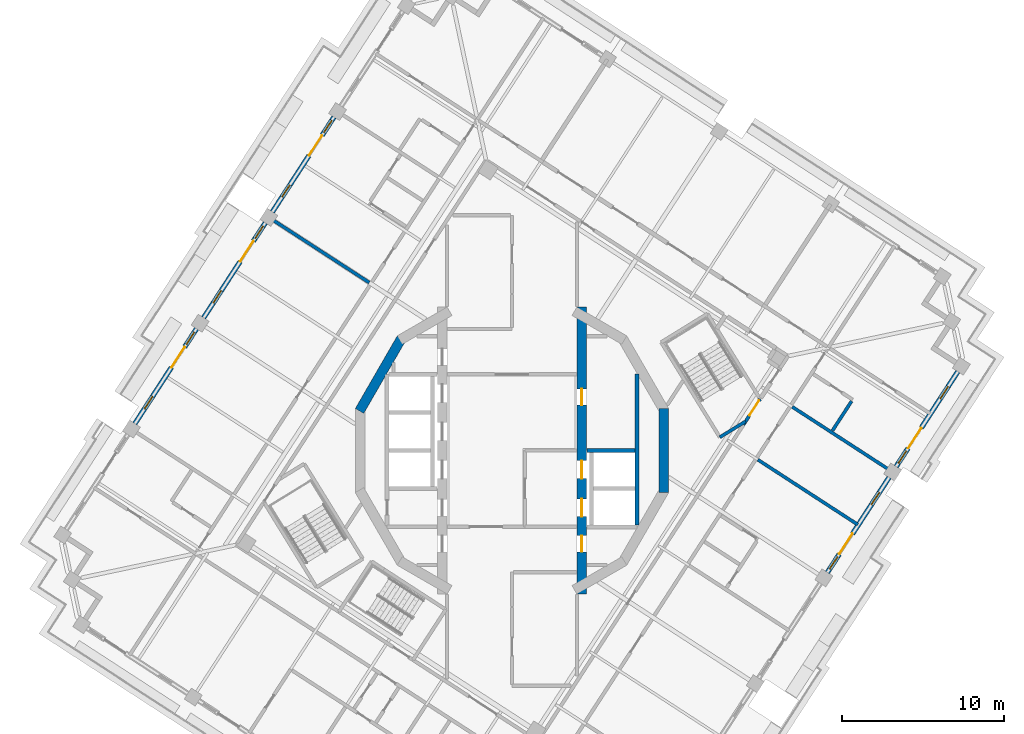
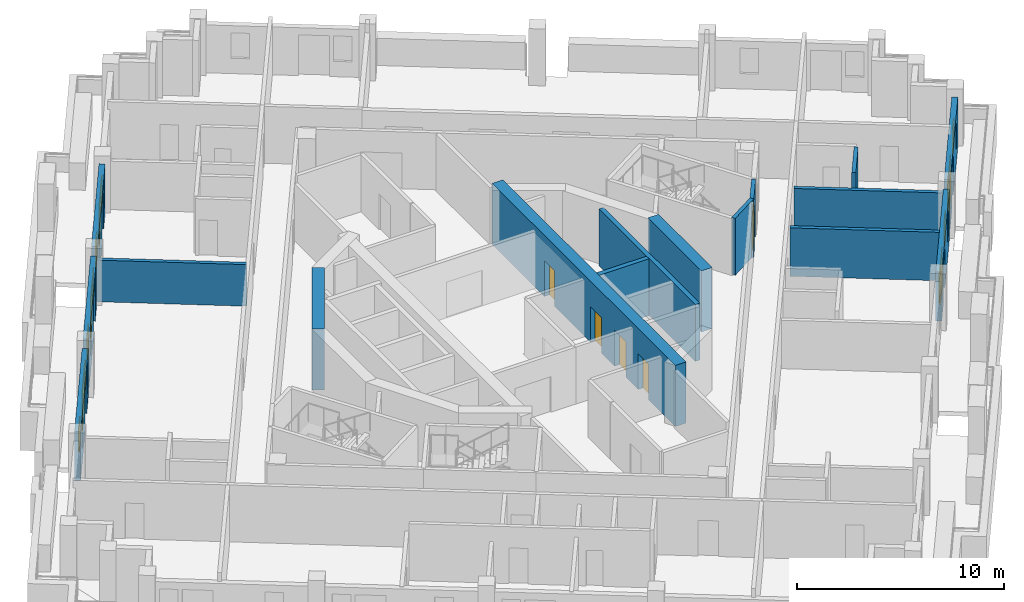
# One storey, part 7 of 15: 16 walls, 10 doors, 10 windows, 20 openings.
"""IFC4 building model written with IfcOpenShell, lengths in metres."""

from ifc_helpers import new_model, si_unit, direction, frame, frame_2d, origin, place, context, subcontext, project, spatial, rectangle, extrude, material, layer, layer_set, type_object, element, fill, save


model = new_model("IFC4")

# Units and contexts
model_context = context("Model", 3, precision=1e-05, world=origin(), true_north=direction((0.0, 1.0)))
body_context = subcontext(model_context, "Body", "Model", "MODEL_VIEW")
ifc_project = project(units=[si_unit("LENGTHUNIT", "METRE"), si_unit("AREAUNIT", "SQUARE_METRE"), si_unit("VOLUMEUNIT", "CUBIC_METRE"), si_unit("PLANEANGLEUNIT", "RADIAN"), si_unit("MASSUNIT", "GRAM", prefix="KILO")], contexts=[model_context])

# Site, building, storey
site_placement = place(None, origin())
site = spatial("IfcSite", under=ifc_project, at=site_placement, CompositionType="ELEMENT")
building_placement = place(site_placement, origin())
building = spatial("IfcBuilding", under=site, at=building_placement, Name="Cantera Rosa Tower", CompositionType="ELEMENT")
storey_placement = place(building_placement, frame((0.0, 0.0, 272.10009765625)))
storey = spatial("IfcBuildingStorey", under=building, at=storey_placement, Name="L61", CompositionType="ELEMENT", Elevation=272.10009765625)

# Wall, openings, windows, door
ifc_material_1 = material(Name="Hollow clay masonry with cantera stone cladding", Category="masonry")
ifc_layer_1 = layer(ifc_material_1, 0.300048828125)
ifc_layer_set_1 = layer_set([ifc_layer_1], Name="EW-LOGGIA 300 H2890")
wall_type_1 = type_object("IfcWallType", Name="EW-LOGGIA 300 H2890", PredefinedType="SOLIDWALL", material=ifc_layer_set_1)
wall_1_placement = place(storey_placement, frame((-10.970703125, 20.5625, 0.0), z_axis=(0.0, 0.0, 1.0), x_axis=(-0.544651451949, -0.838662504164, 0.0)))
wall_1 = element("IfcWall", 1, at=wall_1_placement, inside=storey, type_object=wall_type_1, Name="EN-L61-W08", PredefinedType="SOLIDWALL", context=body_context, shape_type="SweptSolid", body=[
    extrude(rectangle(XDim=6.980224609375, YDim=0.300048828125, at=frame_2d((3.490234375, 0.0))), origin(), (0.0, 0.0, 1.0), 2.889892578125),
])
opening_1_placement = place(wall_1_placement, frame((0.2451171875, 0.0, 0.89990234375)))
opening_1 = element("IfcOpeningElement", 2, at=opening_1_placement, cuts=wall_1, Name="Opening L61-W10", PredefinedType="OPENING", context=body_context, shape_type="SweptSolid", body=[
    extrude(rectangle(XDim=0.89990234375, YDim=1.5, at=frame_2d((0.449951171875, 0.75))), frame((0.0, 0.159912109375, 0.0), z_axis=(0.0, -1.0, 0.0), x_axis=(1.0, 0.0, 0.0)), (0.0, 0.0, 1.0), 0.320068359375),
])
opening_2_placement = place(wall_1_placement, frame((1.344970703125, 0.0, 0.0)))
opening_2 = element("IfcOpeningElement", 3, at=opening_2_placement, cuts=wall_1, Name="Opening L61-TD11", PredefinedType="OPENING", context=body_context, shape_type="SweptSolid", body=[
    extrude(rectangle(XDim=1.5, YDim=2.39990234375, at=frame_2d((0.75, 1.199951171875))), frame((0.0, 0.159912109375, 0.0), z_axis=(0.0, -1.0, 0.0), x_axis=(1.0, 0.0, 0.0)), (0.0, 0.0, 1.0), 0.320068359375),
])
opening_3_placement = place(wall_1_placement, frame((4.985107421875, 0.0, 0.89990234375)))
opening_3 = element("IfcOpeningElement", 4, at=opening_3_placement, cuts=wall_1, Name="Opening L61-W12", PredefinedType="OPENING", context=body_context, shape_type="SweptSolid", body=[
    extrude(rectangle(XDim=0.89990234375, YDim=1.5, at=frame_2d((0.449951171875, 0.75))), frame((0.0, 0.159912109375, 0.0), z_axis=(0.0, -1.0, 0.0), x_axis=(1.0, 0.0, 0.0)), (0.0, 0.0, 1.0), 0.320068359375),
])
ifc_material_2 = material(Name="Aluminium frame with clear glass", Category="aluminium")
window_type = type_object("IfcWindowType", Name="Residential window 900x1500", PartitioningType="SINGLE_PANEL", PredefinedType="WINDOW", material=ifc_material_2)
window_1_placement = place(opening_1_placement, origin())
window_1 = element("IfcWindow", 5, at=window_1_placement, inside=storey, type_object=window_type, Name="WINDOW L61-W10", OverallHeight=1.5, OverallWidth=0.89990234375, PartitioningType="SINGLE_PANEL", PredefinedType="WINDOW", context=body_context, shape_type="SweptSolid", body=[
    extrude(rectangle(XDim=0.89990234375, YDim=1.5, at=frame_2d((0.449951171875, 0.75))), frame((0.0, 0.030029296875, 0.0), z_axis=(0.0, -1.0, 0.0), x_axis=(1.0, 0.0, 0.0)), (0.0, 0.0, 1.0), 0.06005859375),
])
fill(opening_1, window_1)
window_2_placement = place(opening_3_placement, origin())
window_2 = element("IfcWindow", 6, at=window_2_placement, inside=storey, type_object=window_type, Name="WINDOW L61-W12", OverallHeight=1.5, OverallWidth=0.89990234375, PartitioningType="SINGLE_PANEL", PredefinedType="WINDOW", context=body_context, shape_type="SweptSolid", body=[
    extrude(rectangle(XDim=0.89990234375, YDim=1.5, at=frame_2d((0.449951171875, 0.75))), frame((0.0, 0.030029296875, 0.0), z_axis=(0.0, -1.0, 0.0), x_axis=(1.0, 0.0, 0.0)), (0.0, 0.0, 1.0), 0.06005859375),
])
fill(opening_3, window_2)
ifc_material_3 = material(Name="Aluminium frame with clear glass", Category="aluminium")
door_type_1 = type_object("IfcDoorType", Name="TD-R 1500x2400", OperationType="NOTDEFINED", PredefinedType="DOOR", material=ifc_material_3)
door_1_placement = place(opening_2_placement, origin())
door_1 = element("IfcDoor", 7, at=door_1_placement, inside=storey, type_object=door_type_1, Name="LOGGIA DOOR L61-TD11", OperationType="SLIDING_TO_LEFT", OverallHeight=2.39990234375, OverallWidth=1.5, PredefinedType="DOOR", context=body_context, shape_type="SweptSolid", body=[
    extrude(rectangle(XDim=1.5, YDim=2.39990234375, at=frame_2d((0.75, 1.199951171875))), frame((0.0, 0.02490234375, 0.0), z_axis=(0.0, -1.0, 0.0), x_axis=(1.0, 0.0, 0.0)), (0.0, 0.0, 1.0), 0.050048828125),
])
fill(opening_2, door_1)

wall_2_placement = place(storey_placement, frame((-15.2080078125, 14.03759765625, 0.0), z_axis=(0.0, 0.0, 1.0), x_axis=(-0.544651451949, -0.838662504164, 0.0)))
wall_2 = element("IfcWall", 8, at=wall_2_placement, inside=storey, type_object=wall_type_1, Name="EN-L61-W09", PredefinedType="SOLIDWALL", context=body_context, shape_type="SweptSolid", body=[
    extrude(rectangle(XDim=6.980224609375, YDim=0.300048828125, at=frame_2d((3.490234375, 0.0))), origin(), (0.0, 0.0, 1.0), 2.889892578125),
])
opening_4_placement = place(wall_2_placement, frame((0.2451171875, 0.0, 0.89990234375)))
opening_4 = element("IfcOpeningElement", 9, at=opening_4_placement, cuts=wall_2, Name="Opening L61-W13", PredefinedType="OPENING", context=body_context, shape_type="SweptSolid", body=[
    extrude(rectangle(XDim=0.89990234375, YDim=1.5, at=frame_2d((0.449951171875, 0.75))), frame((0.0, 0.159912109375, 0.0), z_axis=(0.0, -1.0, 0.0), x_axis=(1.0, 0.0, 0.0)), (0.0, 0.0, 1.0), 0.320068359375),
])
opening_5_placement = place(wall_2_placement, frame((1.344970703125, 0.0, 0.0)))
opening_5 = element("IfcOpeningElement", 10, at=opening_5_placement, cuts=wall_2, Name="Opening L61-TD14", PredefinedType="OPENING", context=body_context, shape_type="SweptSolid", body=[
    extrude(rectangle(XDim=1.5, YDim=2.39990234375, at=frame_2d((0.75, 1.199951171875))), frame((0.0, 0.159912109375, 0.0), z_axis=(0.0, -1.0, 0.0), x_axis=(1.0, 0.0, 0.0)), (0.0, 0.0, 1.0), 0.320068359375),
])
opening_6_placement = place(wall_2_placement, frame((4.985107421875, 0.0, 0.89990234375)))
opening_6 = element("IfcOpeningElement", 11, at=opening_6_placement, cuts=wall_2, Name="Opening L61-W15", PredefinedType="OPENING", context=body_context, shape_type="SweptSolid", body=[
    extrude(rectangle(XDim=0.89990234375, YDim=1.5, at=frame_2d((0.449951171875, 0.75))), frame((0.0, 0.159912109375, 0.0), z_axis=(0.0, -1.0, 0.0), x_axis=(1.0, 0.0, 0.0)), (0.0, 0.0, 1.0), 0.320068359375),
])
window_3_placement = place(opening_4_placement, origin())
window_3 = element("IfcWindow", 12, at=window_3_placement, inside=storey, type_object=window_type, Name="WINDOW L61-W13", OverallHeight=1.5, OverallWidth=0.89990234375, PartitioningType="SINGLE_PANEL", PredefinedType="WINDOW", context=body_context, shape_type="SweptSolid", body=[
    extrude(rectangle(XDim=0.89990234375, YDim=1.5, at=frame_2d((0.449951171875, 0.75))), frame((0.0, 0.030029296875, 0.0), z_axis=(0.0, -1.0, 0.0), x_axis=(1.0, 0.0, 0.0)), (0.0, 0.0, 1.0), 0.06005859375),
])
fill(opening_4, window_3)
window_4_placement = place(opening_6_placement, origin())
window_4 = element("IfcWindow", 13, at=window_4_placement, inside=storey, type_object=window_type, Name="WINDOW L61-W15", OverallHeight=1.5, OverallWidth=0.89990234375, PartitioningType="SINGLE_PANEL", PredefinedType="WINDOW", context=body_context, shape_type="SweptSolid", body=[
    extrude(rectangle(XDim=0.89990234375, YDim=1.5, at=frame_2d((0.449951171875, 0.75))), frame((0.0, 0.030029296875, 0.0), z_axis=(0.0, -1.0, 0.0), x_axis=(1.0, 0.0, 0.0)), (0.0, 0.0, 1.0), 0.06005859375),
])
fill(opening_6, window_4)
door_2_placement = place(opening_5_placement, origin())
door_2 = element("IfcDoor", 14, at=door_2_placement, inside=storey, type_object=door_type_1, Name="LOGGIA DOOR L61-TD14", OperationType="SLIDING_TO_LEFT", OverallHeight=2.39990234375, OverallWidth=1.5, PredefinedType="DOOR", context=body_context, shape_type="SweptSolid", body=[
    extrude(rectangle(XDim=1.5, YDim=2.39990234375, at=frame_2d((0.75, 1.199951171875))), frame((0.0, 0.02490234375, 0.0), z_axis=(0.0, -1.0, 0.0), x_axis=(1.0, 0.0, 0.0)), (0.0, 0.0, 1.0), 0.050048828125),
])
fill(opening_5, door_2)

wall_3_placement = place(storey_placement, frame((-19.4453125, 7.5126953125, 0.0), z_axis=(0.0, 0.0, 1.0), x_axis=(-0.544667428764, -0.838652128146, 0.0)))
wall_3 = element("IfcWall", 15, at=wall_3_placement, inside=storey, type_object=wall_type_1, Name="EN-L61-W10", PredefinedType="SOLIDWALL", context=body_context, shape_type="SweptSolid", body=[
    extrude(rectangle(XDim=6.97998046875, YDim=0.300048828125, at=frame_2d((3.489990234375, 0.0))), origin(), (0.0, 0.0, 1.0), 2.889892578125),
])
opening_7_placement = place(wall_3_placement, frame((0.2451171875, 0.0, 0.89990234375)))
opening_7 = element("IfcOpeningElement", 16, at=opening_7_placement, cuts=wall_3, Name="Opening L61-W16", PredefinedType="OPENING", context=body_context, shape_type="SweptSolid", body=[
    extrude(rectangle(XDim=0.89990234375, YDim=1.5, at=frame_2d((0.449951171875, 0.75))), frame((0.0, 0.159912109375, 0.0), z_axis=(0.0, -1.0, 0.0), x_axis=(1.0, 0.0, 0.0)), (0.0, 0.0, 1.0), 0.320068359375),
])
opening_8_placement = place(wall_3_placement, frame((1.344970703125, 0.0, 0.0)))
opening_8 = element("IfcOpeningElement", 17, at=opening_8_placement, cuts=wall_3, Name="Opening L61-TD17", PredefinedType="OPENING", context=body_context, shape_type="SweptSolid", body=[
    extrude(rectangle(XDim=1.5, YDim=2.39990234375, at=frame_2d((0.75, 1.199951171875))), frame((0.0, 0.159912109375, 0.0), z_axis=(0.0, -1.0, 0.0), x_axis=(1.0, 0.0, 0.0)), (0.0, 0.0, 1.0), 0.320068359375),
])
opening_9_placement = place(wall_3_placement, frame((4.985107421875, 0.0, 0.89990234375)))
opening_9 = element("IfcOpeningElement", 18, at=opening_9_placement, cuts=wall_3, Name="Opening L61-W18", PredefinedType="OPENING", context=body_context, shape_type="SweptSolid", body=[
    extrude(rectangle(XDim=0.89990234375, YDim=1.5, at=frame_2d((0.449951171875, 0.75))), frame((0.0, 0.159912109375, 0.0), z_axis=(0.0, -1.0, 0.0), x_axis=(1.0, 0.0, 0.0)), (0.0, 0.0, 1.0), 0.320068359375),
])
window_5_placement = place(opening_7_placement, origin())
window_5 = element("IfcWindow", 19, at=window_5_placement, inside=storey, type_object=window_type, Name="WINDOW L61-W16", OverallHeight=1.5, OverallWidth=0.89990234375, PartitioningType="SINGLE_PANEL", PredefinedType="WINDOW", context=body_context, shape_type="SweptSolid", body=[
    extrude(rectangle(XDim=0.89990234375, YDim=1.5, at=frame_2d((0.449951171875, 0.75))), frame((0.0, 0.030029296875, 0.0), z_axis=(0.0, -1.0, 0.0), x_axis=(1.0, 0.0, 0.0)), (0.0, 0.0, 1.0), 0.06005859375),
])
fill(opening_7, window_5)
window_6_placement = place(opening_9_placement, origin())
window_6 = element("IfcWindow", 20, at=window_6_placement, inside=storey, type_object=window_type, Name="WINDOW L61-W18", OverallHeight=1.5, OverallWidth=0.89990234375, PartitioningType="SINGLE_PANEL", PredefinedType="WINDOW", context=body_context, shape_type="SweptSolid", body=[
    extrude(rectangle(XDim=0.89990234375, YDim=1.5, at=frame_2d((0.449951171875, 0.75))), frame((0.0, 0.030029296875, 0.0), z_axis=(0.0, -1.0, 0.0), x_axis=(1.0, 0.0, 0.0)), (0.0, 0.0, 1.0), 0.06005859375),
])
fill(opening_9, window_6)
door_3_placement = place(opening_8_placement, origin())
door_3 = element("IfcDoor", 21, at=door_3_placement, inside=storey, type_object=door_type_1, Name="LOGGIA DOOR L61-TD17", OperationType="SLIDING_TO_LEFT", OverallHeight=2.39990234375, OverallWidth=1.5, PredefinedType="DOOR", context=body_context, shape_type="SweptSolid", body=[
    extrude(rectangle(XDim=1.5, YDim=2.39990234375, at=frame_2d((0.75, 1.199951171875))), frame((0.0, 0.02490234375, 0.0), z_axis=(0.0, -1.0, 0.0), x_axis=(1.0, 0.0, 0.0)), (0.0, 0.0, 1.0), 0.050048828125),
])
fill(opening_8, door_3)

wall_4_placement = place(storey_placement, frame((19.4453125, -7.5126953125, 0.0), z_axis=(0.0, 0.0, 1.0), x_axis=(0.544667428764, 0.838652128146, 0.0)))
wall_4 = element("IfcWall", 22, at=wall_4_placement, inside=storey, type_object=wall_type_1, Name="EN-L61-W23", PredefinedType="SOLIDWALL", context=body_context, shape_type="SweptSolid", body=[
    extrude(rectangle(XDim=6.97998046875, YDim=0.300048828125, at=frame_2d((3.489990234375, 0.0))), origin(), (0.0, 0.0, 1.0), 2.889892578125),
])
opening_10_placement = place(wall_4_placement, frame((0.2451171875, 0.0, 0.89990234375)))
opening_10 = element("IfcOpeningElement", 23, at=opening_10_placement, cuts=wall_4, Name="Opening L61-W43", PredefinedType="OPENING", context=body_context, shape_type="SweptSolid", body=[
    extrude(rectangle(XDim=0.89990234375, YDim=1.5, at=frame_2d((0.449951171875, 0.75))), frame((0.0, 0.159912109375, 0.0), z_axis=(0.0, -1.0, 0.0), x_axis=(1.0, 0.0, 0.0)), (0.0, 0.0, 1.0), 0.320068359375),
])
opening_11_placement = place(wall_4_placement, frame((1.344970703125, 0.0, 0.0)))
opening_11 = element("IfcOpeningElement", 24, at=opening_11_placement, cuts=wall_4, Name="Opening L61-TD44", PredefinedType="OPENING", context=body_context, shape_type="SweptSolid", body=[
    extrude(rectangle(XDim=1.5, YDim=2.39990234375, at=frame_2d((0.75, 1.199951171875))), frame((0.0, 0.159912109375, 0.0), z_axis=(0.0, -1.0, 0.0), x_axis=(1.0, 0.0, 0.0)), (0.0, 0.0, 1.0), 0.320068359375),
])
opening_12_placement = place(wall_4_placement, frame((4.985107421875, 0.0, 0.89990234375)))
opening_12 = element("IfcOpeningElement", 25, at=opening_12_placement, cuts=wall_4, Name="Opening L61-W45", PredefinedType="OPENING", context=body_context, shape_type="SweptSolid", body=[
    extrude(rectangle(XDim=0.89990234375, YDim=1.5, at=frame_2d((0.449951171875, 0.75))), frame((0.0, 0.159912109375, 0.0), z_axis=(0.0, -1.0, 0.0), x_axis=(1.0, 0.0, 0.0)), (0.0, 0.0, 1.0), 0.320068359375),
])
window_7_placement = place(opening_10_placement, origin())
window_7 = element("IfcWindow", 26, at=window_7_placement, inside=storey, type_object=window_type, Name="WINDOW L61-W43", OverallHeight=1.5, OverallWidth=0.89990234375, PartitioningType="SINGLE_PANEL", PredefinedType="WINDOW", context=body_context, shape_type="SweptSolid", body=[
    extrude(rectangle(XDim=0.89990234375, YDim=1.5, at=frame_2d((0.449951171875, 0.75))), frame((0.0, 0.030029296875, 0.0), z_axis=(0.0, -1.0, 0.0), x_axis=(1.0, 0.0, 0.0)), (0.0, 0.0, 1.0), 0.06005859375),
])
fill(opening_10, window_7)
window_8_placement = place(opening_12_placement, origin())
window_8 = element("IfcWindow", 27, at=window_8_placement, inside=storey, type_object=window_type, Name="WINDOW L61-W45", OverallHeight=1.5, OverallWidth=0.89990234375, PartitioningType="SINGLE_PANEL", PredefinedType="WINDOW", context=body_context, shape_type="SweptSolid", body=[
    extrude(rectangle(XDim=0.89990234375, YDim=1.5, at=frame_2d((0.449951171875, 0.75))), frame((0.0, 0.030029296875, 0.0), z_axis=(0.0, -1.0, 0.0), x_axis=(1.0, 0.0, 0.0)), (0.0, 0.0, 1.0), 0.06005859375),
])
fill(opening_12, window_8)
door_4_placement = place(opening_11_placement, origin())
door_4 = element("IfcDoor", 28, at=door_4_placement, inside=storey, type_object=door_type_1, Name="LOGGIA DOOR L61-TD44", OperationType="SLIDING_TO_LEFT", OverallHeight=2.39990234375, OverallWidth=1.5, PredefinedType="DOOR", context=body_context, shape_type="SweptSolid", body=[
    extrude(rectangle(XDim=1.5, YDim=2.39990234375, at=frame_2d((0.75, 1.199951171875))), frame((0.0, 0.02490234375, 0.0), z_axis=(0.0, -1.0, 0.0), x_axis=(1.0, 0.0, 0.0)), (0.0, 0.0, 1.0), 0.050048828125),
])
fill(opening_11, door_4)

wall_5_placement = place(storey_placement, frame((23.6826171875, -0.98779296875, 0.0), z_axis=(0.0, 0.0, 1.0), x_axis=(0.544667428764, 0.838652128146, 0.0)))
wall_5 = element("IfcWall", 29, at=wall_5_placement, inside=storey, type_object=wall_type_1, Name="EN-L61-W24", PredefinedType="SOLIDWALL", context=body_context, shape_type="SweptSolid", body=[
    extrude(rectangle(XDim=6.97998046875, YDim=0.300048828125, at=frame_2d((3.489990234375, 0.0))), origin(), (0.0, 0.0, 1.0), 2.889892578125),
])
opening_13_placement = place(wall_5_placement, frame((0.2451171875, 0.0, 0.89990234375)))
opening_13 = element("IfcOpeningElement", 30, at=opening_13_placement, cuts=wall_5, Name="Opening L61-W46", PredefinedType="OPENING", context=body_context, shape_type="SweptSolid", body=[
    extrude(rectangle(XDim=0.89990234375, YDim=1.5, at=frame_2d((0.449951171875, 0.75))), frame((0.0, 0.159912109375, 0.0), z_axis=(0.0, -1.0, 0.0), x_axis=(1.0, 0.0, 0.0)), (0.0, 0.0, 1.0), 0.320068359375),
])
opening_14_placement = place(wall_5_placement, frame((1.344970703125, 0.0, 0.0)))
opening_14 = element("IfcOpeningElement", 31, at=opening_14_placement, cuts=wall_5, Name="Opening L61-TD47", PredefinedType="OPENING", context=body_context, shape_type="SweptSolid", body=[
    extrude(rectangle(XDim=1.5, YDim=2.39990234375, at=frame_2d((0.75, 1.199951171875))), frame((0.0, 0.159912109375, 0.0), z_axis=(0.0, -1.0, 0.0), x_axis=(1.0, 0.0, 0.0)), (0.0, 0.0, 1.0), 0.320068359375),
])
opening_15_placement = place(wall_5_placement, frame((4.985107421875, 0.0, 0.89990234375)))
opening_15 = element("IfcOpeningElement", 32, at=opening_15_placement, cuts=wall_5, Name="Opening L61-W48", PredefinedType="OPENING", context=body_context, shape_type="SweptSolid", body=[
    extrude(rectangle(XDim=0.89990234375, YDim=1.5, at=frame_2d((0.449951171875, 0.75))), frame((0.0, 0.159912109375, 0.0), z_axis=(0.0, -1.0, 0.0), x_axis=(1.0, 0.0, 0.0)), (0.0, 0.0, 1.0), 0.320068359375),
])
window_9_placement = place(opening_13_placement, origin())
window_9 = element("IfcWindow", 33, at=window_9_placement, inside=storey, type_object=window_type, Name="WINDOW L61-W46", OverallHeight=1.5, OverallWidth=0.89990234375, PartitioningType="SINGLE_PANEL", PredefinedType="WINDOW", context=body_context, shape_type="SweptSolid", body=[
    extrude(rectangle(XDim=0.89990234375, YDim=1.5, at=frame_2d((0.449951171875, 0.75))), frame((0.0, 0.030029296875, 0.0), z_axis=(0.0, -1.0, 0.0), x_axis=(1.0, 0.0, 0.0)), (0.0, 0.0, 1.0), 0.06005859375),
])
fill(opening_13, window_9)
window_10_placement = place(opening_15_placement, origin())
window_10 = element("IfcWindow", 34, at=window_10_placement, inside=storey, type_object=window_type, Name="WINDOW L61-W48", OverallHeight=1.5, OverallWidth=0.89990234375, PartitioningType="SINGLE_PANEL", PredefinedType="WINDOW", context=body_context, shape_type="SweptSolid", body=[
    extrude(rectangle(XDim=0.89990234375, YDim=1.5, at=frame_2d((0.449951171875, 0.75))), frame((0.0, 0.030029296875, 0.0), z_axis=(0.0, -1.0, 0.0), x_axis=(1.0, 0.0, 0.0)), (0.0, 0.0, 1.0), 0.06005859375),
])
fill(opening_15, window_10)
door_5_placement = place(opening_14_placement, origin())
door_5 = element("IfcDoor", 35, at=door_5_placement, inside=storey, type_object=door_type_1, Name="LOGGIA DOOR L61-TD47", OperationType="SLIDING_TO_LEFT", OverallHeight=2.39990234375, OverallWidth=1.5, PredefinedType="DOOR", context=body_context, shape_type="SweptSolid", body=[
    extrude(rectangle(XDim=1.5, YDim=2.39990234375, at=frame_2d((0.75, 1.199951171875))), frame((0.0, 0.02490234375, 0.0), z_axis=(0.0, -1.0, 0.0), x_axis=(1.0, 0.0, 0.0)), (0.0, 0.0, 1.0), 0.050048828125),
])
fill(opening_14, door_5)

# Walls
ifc_material_4 = material(Name="Gypsum board partition")
ifc_layer_2 = layer(ifc_material_4, 0.199951171875)
ifc_layer_set_2 = layer_set([ifc_layer_2], Name="PARTITION 200 H3350")
wall_type_2 = type_object("IfcWallType", Name="PARTITION 200 H3350", PredefinedType="PARTITIONING", material=ifc_layer_set_2)
wall_6_placement = place(storey_placement, frame((20.9326171875, 3.039794921875, 0.0), z_axis=(0.0, 0.0, 1.0), x_axis=(-0.544670488944, -0.838650140686, 0.0)))
element("IfcWall", 36, at=wall_6_placement, inside=storey, type_object=wall_type_2, Name="PARTITION L61-105", PredefinedType="PARTITIONING", context=body_context, shape_type="SweptSolid", body=[
    extrude(rectangle(XDim=2.16015625, YDim=0.199951171875, at=frame_2d((1.080078125, 0.0))), origin(), (0.0, 0.0, 1.0), 3.349853515625),
])
ifc_material_5 = material(Name="Gypsum board partition")
ifc_layer_3 = layer(ifc_material_5, 0.199951171875)
ifc_layer_set_3 = layer_set([ifc_layer_3], Name="PARTY WALL 200 H2450")
wall_type_3 = type_object("IfcWallType", Name="PARTY WALL 200 H2450", PredefinedType="PARTITIONING", material=ifc_layer_set_3)
wall_7_placement = place(storey_placement, frame((-8.80078125, 10.353515625, 0.0), z_axis=(0.0, 0.0, 1.0), x_axis=(-0.838668934217, 0.544641550729, 0.0)))
element("IfcWall", 37, at=wall_7_placement, inside=storey, type_object=wall_type_3, Name="PARTY WALL L61-023", PredefinedType="PARTITIONING", context=body_context, shape_type="SweptSolid", body=[
    extrude(rectangle(XDim=7.35009765625, YDim=0.199951171875, at=frame_2d((3.675048828125, 0.0))), origin(), (0.0, 0.0, 1.0), 2.449951171875),
])
wall_8_placement = place(storey_placement, frame((17.275390625, 2.696044921875, 0.0), z_axis=(0.0, 0.0, 1.0), x_axis=(0.838684106336, -0.544618187155, 0.0)))
element("IfcWall", 38, at=wall_8_placement, inside=storey, type_object=wall_type_3, Name="PARTY WALL L61-101", PredefinedType="PARTITIONING", context=body_context, shape_type="SweptSolid", body=[
    extrude(rectangle(XDim=7.349853515625, YDim=0.199951171875, at=frame_2d((3.6748046875, 0.0))), origin(), (0.0, 0.0, 1.0), 2.449951171875),
])
ifc_material_6 = material(Name="Gypsum board partition")
ifc_layer_4 = layer(ifc_material_6, 0.199951171875)
ifc_layer_set_4 = layer_set([ifc_layer_4], Name="PARTY WALL 200 H2850")
wall_type_4 = type_object("IfcWallType", Name="PARTY WALL 200 H2850", PredefinedType="PARTITIONING", material=ifc_layer_set_4)
wall_9_placement = place(storey_placement, frame((15.15673828125, -0.56640625, 0.0), z_axis=(0.0, 0.0, 1.0), x_axis=(0.838684106336, -0.544618187155, 0.0)))
element("IfcWall", 39, at=wall_9_placement, inside=storey, type_object=wall_type_4, Name="PARTY WALL L61-091", PredefinedType="PARTITIONING", context=body_context, shape_type="SweptSolid", body=[
    extrude(rectangle(XDim=7.349853515625, YDim=0.199951171875, at=frame_2d((3.6748046875, 0.0))), origin(), (0.0, 0.0, 1.0), 2.849853515625),
])
ifc_material_7 = material(Name="Concrete C50/60", Category="concrete")
ifc_layer_5 = layer(ifc_material_7, 0.60009765625)
ifc_layer_set_5 = layer_set([ifc_layer_5], Name="RC CORE WALL 600 C50/60")
wall_type_5 = type_object("IfcWallType", Name="RC CORE WALL 600 C50/60", PredefinedType="SHEAR", material=ifc_layer_set_5)
for number, where, z_axis, x_axis, name in (
    (40, (-9.3994140625, 2.438232421875, 0.0), (0.0, 0.0, 1.0), (0.499989188378, 0.866031645787, 0.0), "CW-W4 L61"),
    (41, (9.359375, 2.588134765625, 0.0), (0.0, 0.0, 1.0), (0.0, -1.0, 0.0), "CW-E3 L61"),
):
    element("IfcWall", number, at=place(storey_placement, frame(where, z_axis=z_axis, x_axis=x_axis)), inside=storey, type_object=wall_type_5, Name=name, PredefinedType="SHEAR", context=body_context, shape_type="SweptSolid", body=[
        extrude(rectangle(XDim=5.17626953125, YDim=0.60009765625, at=frame_2d((2.588134765625, 0.0))), origin(), (0.0, 0.0, 1.0), 3.599853515625),
    ])

# Wall, openings, doors
wall_10_placement = place(storey_placement, frame((4.300048828125, -8.84423828125, 0.0), z_axis=(0.0, 0.0, 1.0), x_axis=(0.0, 1.0, 0.0)))
wall_10 = element("IfcWall", 42, at=wall_10_placement, inside=storey, type_object=wall_type_5, Name="CW-E6 L61", PredefinedType="SHEAR", context=body_context, shape_type="SweptSolid", body=[
    extrude(rectangle(XDim=17.6884765625, YDim=0.60009765625, at=frame_2d((8.84423828125, 0.0))), origin(), (0.0, 0.0, 1.0), 3.599853515625),
])
opening_16_placement = place(wall_10_placement, frame((4.76904296875, 0.0, 0.0)))
opening_16 = element("IfcOpeningElement", 43, at=opening_16_placement, cuts=wall_10, Name="Opening LD-FF1-L61", PredefinedType="OPENING", context=body_context, shape_type="SweptSolid", body=[
    extrude(rectangle(XDim=1.10009765625, YDim=2.10009765625, at=frame_2d((0.550048828125, 1.050048828125))), frame((0.0, 0.31005859375, 0.0), z_axis=(0.0, -1.0, 0.0), x_axis=(1.0, 0.0, 0.0)), (0.0, 0.0, 1.0), 0.6201171875),
])
opening_17_placement = place(wall_10_placement, frame((7.119140625, 0.0, 0.0)))
opening_17 = element("IfcOpeningElement", 44, at=opening_17_placement, cuts=wall_10, Name="Opening LD-FF2-L61", PredefinedType="OPENING", context=body_context, shape_type="SweptSolid", body=[
    extrude(rectangle(XDim=1.10009765625, YDim=2.10009765625, at=frame_2d((0.550048828125, 1.050048828125))), frame((0.0, 0.31005859375, 0.0), z_axis=(0.0, -1.0, 0.0), x_axis=(1.0, 0.0, 0.0)), (0.0, 0.0, 1.0), 0.6201171875),
])
opening_18_placement = place(wall_10_placement, frame((2.5966796875, 0.0, 0.0)))
opening_18 = element("IfcOpeningElement", 45, at=opening_18_placement, cuts=wall_10, Name="Opening SD-L61-18", PredefinedType="OPENING", context=body_context, shape_type="SweptSolid", body=[
    extrude(rectangle(XDim=1.0, YDim=2.10009765625, at=frame_2d((0.5, 1.050048828125))), frame((0.0, 0.31005859375, 0.0), z_axis=(0.0, -1.0, 0.0), x_axis=(1.0, 0.0, 0.0)), (0.0, 0.0, 1.0), 0.6201171875),
])
opening_19_placement = place(wall_10_placement, frame((11.6494140625, 0.0, 0.0)))
opening_19 = element("IfcOpeningElement", 46, at=opening_19_placement, cuts=wall_10, Name="Opening SD-L61-19", PredefinedType="OPENING", context=body_context, shape_type="SweptSolid", body=[
    extrude(rectangle(XDim=1.0, YDim=2.10009765625, at=frame_2d((0.5, 1.050048828125))), frame((0.0, 0.31005859375, 0.0), z_axis=(0.0, -1.0, 0.0), x_axis=(1.0, 0.0, 0.0)), (0.0, 0.0, 1.0), 0.6201171875),
])
ifc_material_8 = material(Name="Steel S355J2 (EN 10025-2)", Category="steel")
door_type_2 = type_object("IfcDoorType", Name="LANDING DOOR 1100x2100", OperationType="NOTDEFINED", PredefinedType="DOOR", material=ifc_material_8)
door_6_placement = place(opening_16_placement, origin())
door_6 = element("IfcDoor", 47, at=door_6_placement, inside=storey, type_object=door_type_2, Name="LANDING DOOR FF1 L61", OperationType="SLIDING_TO_LEFT", OverallHeight=2.10009765625, OverallWidth=1.10009765625, PredefinedType="DOOR", context=body_context, shape_type="SweptSolid", body=[
    extrude(rectangle(XDim=1.10009765625, YDim=2.10009765625, at=frame_2d((0.550048828125, 1.050048828125))), frame((0.0, 0.02490234375, 0.0), z_axis=(0.0, -1.0, 0.0), x_axis=(1.0, 0.0, 0.0)), (0.0, 0.0, 1.0), 0.050048828125),
])
fill(opening_16, door_6)
door_7_placement = place(opening_17_placement, origin())
door_7 = element("IfcDoor", 48, at=door_7_placement, inside=storey, type_object=door_type_2, Name="LANDING DOOR FF2 L61", OperationType="SLIDING_TO_LEFT", OverallHeight=2.10009765625, OverallWidth=1.10009765625, PredefinedType="DOOR", context=body_context, shape_type="SweptSolid", body=[
    extrude(rectangle(XDim=1.10009765625, YDim=2.10009765625, at=frame_2d((0.550048828125, 1.050048828125))), frame((0.0, 0.02490234375, 0.0), z_axis=(0.0, -1.0, 0.0), x_axis=(1.0, 0.0, 0.0)), (0.0, 0.0, 1.0), 0.050048828125),
])
fill(opening_17, door_7)
ifc_material_9 = material(Name="Timber door leaf", Category="wood")
door_type_3 = type_object("IfcDoorType", Name="SERVICE DOOR 1000x2100", OperationType="NOTDEFINED", PredefinedType="DOOR", material=ifc_material_9)
door_8_placement = place(opening_18_placement, origin())
door_8 = element("IfcDoor", 49, at=door_8_placement, inside=storey, type_object=door_type_3, Name="DOOR L61-SD18", OperationType="NOTDEFINED", OverallHeight=2.10009765625, OverallWidth=1.0, PredefinedType="DOOR", context=body_context, shape_type="SweptSolid", body=[
    extrude(rectangle(XDim=1.0, YDim=2.10009765625, at=frame_2d((0.5, 1.050048828125))), frame((0.0, 0.02490234375, 0.0), z_axis=(0.0, -1.0, 0.0), x_axis=(1.0, 0.0, 0.0)), (0.0, 0.0, 1.0), 0.050048828125),
])
fill(opening_18, door_8)
door_9_placement = place(opening_19_placement, origin())
door_9 = element("IfcDoor", 50, at=door_9_placement, inside=storey, type_object=door_type_3, Name="DOOR L61-SD19", OperationType="NOTDEFINED", OverallHeight=2.10009765625, OverallWidth=1.0, PredefinedType="DOOR", context=body_context, shape_type="SweptSolid", body=[
    extrude(rectangle(XDim=1.0, YDim=2.10009765625, at=frame_2d((0.5, 1.050048828125))), frame((0.0, 0.02490234375, 0.0), z_axis=(0.0, -1.0, 0.0), x_axis=(1.0, 0.0, 0.0)), (0.0, 0.0, 1.0), 0.050048828125),
])
fill(opening_19, door_9)

# Walls
ifc_material_10 = material(Name="Masonry blockwork", Category="masonry")
ifc_layer_6 = layer(ifc_material_10, 0.25)
ifc_layer_set_6 = layer_set([ifc_layer_6], Name="SHAFT WALL 250 H3350")
wall_type_6 = type_object("IfcWallType", Name="SHAFT WALL 250 H3350", PredefinedType="SOLIDWALL", material=ifc_layer_set_6)
wall_11_placement = place(storey_placement, frame((4.6298828125, 0.0, 0.0), z_axis=(0.0, 0.0, 1.0), x_axis=(1.0, 0.0, 0.0)))
element("IfcWall", 51, at=wall_11_placement, inside=storey, type_object=wall_type_6, Name="SHAFT WALL L61-070", PredefinedType="SOLIDWALL", context=body_context, shape_type="SweptSolid", body=[
    extrude(rectangle(XDim=2.945068359375, YDim=0.25, at=frame_2d((1.47265625, 0.0))), origin(), (0.0, 0.0, 1.0), 3.349853515625),
])
wall_12_placement = place(storey_placement, frame((7.699951171875, -4.580078125, 0.0), z_axis=(0.0, 0.0, 1.0), x_axis=(0.0, 1.0, 0.0)))
element("IfcWall", 52, at=wall_12_placement, inside=storey, type_object=wall_type_6, Name="SHAFT WALL L61-078", PredefinedType="SOLIDWALL", context=body_context, shape_type="SweptSolid", body=[
    extrude(rectangle(XDim=9.3017578125, YDim=0.25, at=frame_2d((4.65087890625, 0.0))), origin(), (0.0, 0.0, 1.0), 3.349853515625),
])
ifc_material_11 = material(Name="Concrete C50/60", Category="concrete")
ifc_layer_7 = layer(ifc_material_11, 0.199951171875)
ifc_layer_set_7 = layer_set([ifc_layer_7], Name="STAIR WALL 200 H3350")
wall_type_7 = type_object("IfcWallType", Name="STAIR WALL 200 H3350", PredefinedType="SOLIDWALL", material=ifc_layer_set_7)
wall_13_placement = place(storey_placement, frame((12.811279296875, 0.818359375, 0.0), z_axis=(0.0, 0.0, 1.0), x_axis=(0.851125244186, 0.524962683158, 0.0)))
element("IfcWall", 53, at=wall_13_placement, inside=storey, type_object=wall_type_7, Name="STAIR WALL L61-088", PredefinedType="SOLIDWALL", context=body_context, shape_type="SweptSolid", body=[
    extrude(rectangle(XDim=1.872802734375, YDim=0.199951171875, at=frame_2d((0.9365234375, 0.0))), origin(), (0.0, 0.0, 1.0), 3.349853515625),
])

# Wall, opening, door
wall_14_placement = place(storey_placement, frame((14.268310546875, 1.5908203125, 0.0), z_axis=(0.0, 0.0, 1.0), x_axis=(0.544651565877, 0.838662430176, 0.0)))
wall_14 = element("IfcWall", 54, at=wall_14_placement, inside=storey, type_object=wall_type_7, Name="STAIR WALL L61-090", PredefinedType="SOLIDWALL", context=body_context, shape_type="SweptSolid", body=[
    extrude(rectangle(XDim=1.8857421875, YDim=0.199951171875, at=frame_2d((0.94287109375, 0.0))), origin(), (0.0, 0.0, 1.0), 3.349853515625),
])
opening_20_placement = place(wall_14_placement, frame((0.6689453125, 0.0, 0.0)))
opening_20 = element("IfcOpeningElement", 55, at=opening_20_placement, cuts=wall_14, Name="Opening L61-001", PredefinedType="OPENING", context=body_context, shape_type="SweptSolid", body=[
    extrude(rectangle(XDim=1.10009765625, YDim=2.10009765625, at=frame_2d((0.550048828125, 1.050048828125))), frame((0.0, 0.10986328125, 0.0), z_axis=(0.0, -1.0, 0.0), x_axis=(1.0, 0.0, 0.0)), (0.0, 0.0, 1.0), 0.219970703125),
])
ifc_material_12 = material(Name="Steel S355J2 (EN 10025-2)", Category="steel")
door_type_4 = type_object("IfcDoorType", Name="STAIR DOOR 1100x2100", OperationType="NOTDEFINED", PredefinedType="DOOR", material=ifc_material_12)
door_10_placement = place(opening_20_placement, origin())
door_10 = element("IfcDoor", 56, at=door_10_placement, inside=storey, type_object=door_type_4, Name="DOOR L61-001", OperationType="NOTDEFINED", OverallHeight=2.10009765625, OverallWidth=1.10009765625, PredefinedType="DOOR", context=body_context, shape_type="SweptSolid", body=[
    extrude(rectangle(XDim=1.10009765625, YDim=2.10009765625, at=frame_2d((0.550048828125, 1.050048828125))), frame((0.0, 0.02490234375, 0.0), z_axis=(0.0, -1.0, 0.0), x_axis=(1.0, 0.0, 0.0)), (0.0, 0.0, 1.0), 0.050048828125),
])
fill(opening_20, door_10)

save(model, "model.ifc")
